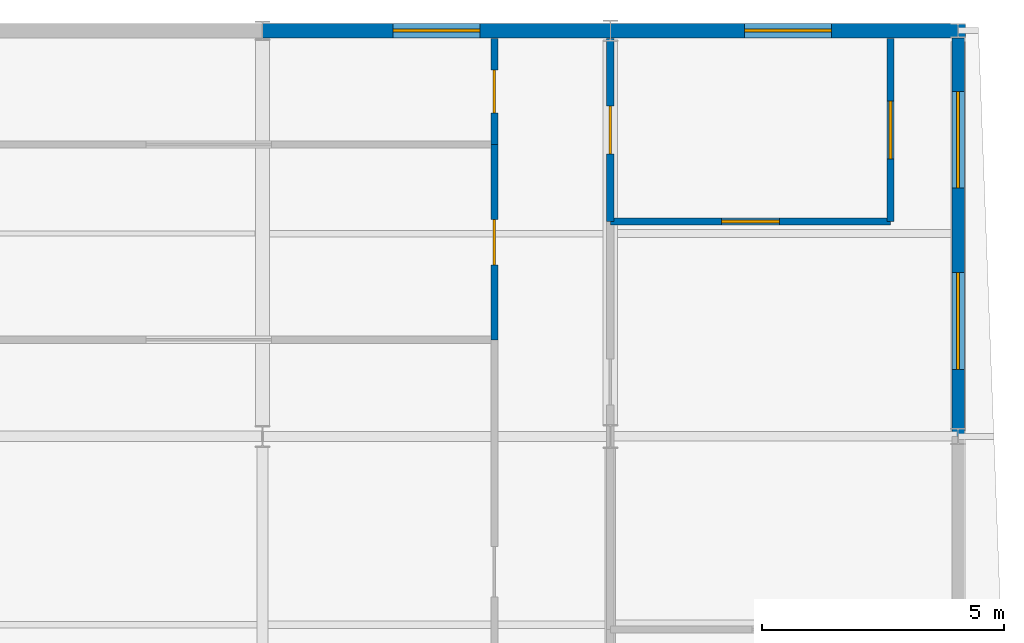
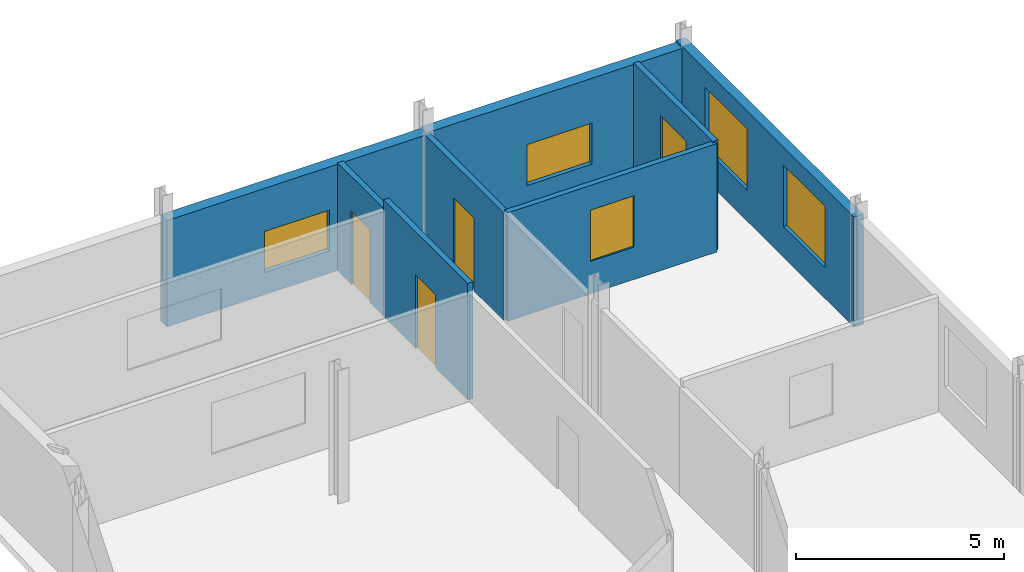
# One storey, part 13 of 16: 8 walls, 6 windows, 3 doors, 9 openings.
"""IFC4 building model written with IfcOpenShell, lengths in metres."""

from ifc_helpers import new_model, si_unit, direction, frame, frame_2d, origin, place, context, subcontext, project, spatial, rectangle, extrude, material, layer, layer_set, type_object, element, fill, save


model = new_model("IFC4")

# Units and contexts
model_context = context("Model", 3, precision=1e-05, world=origin(), true_north=direction((0.0, 1.0)))
body_context = subcontext(model_context, "Body", "Model", "MODEL_VIEW")
ifc_project = project(units=[si_unit("LENGTHUNIT", "METRE"), si_unit("AREAUNIT", "SQUARE_METRE"), si_unit("VOLUMEUNIT", "CUBIC_METRE"), si_unit("PLANEANGLEUNIT", "RADIAN"), si_unit("MASSUNIT", "GRAM", prefix="KILO")], contexts=[model_context])

# Site, building, storey
site_placement = place(None, origin())
site = spatial("IfcSite", under=ifc_project, at=site_placement, CompositionType="ELEMENT")
building_placement = place(site_placement, origin())
building = spatial("IfcBuilding", under=site, at=building_placement, Name="Vinh Khe Railworks Police Headquarters", CompositionType="ELEMENT")
storey_placement = place(building_placement, frame((0.0, 0.0, 28.800048828125)))
storey = spatial("IfcBuildingStorey", under=building, at=storey_placement, Name="L07", CompositionType="ELEMENT", Elevation=28.800048828125)

# Wall, openings, windows
ifc_material_1 = material(Name="Clay brickwork", Category="masonry")
ifc_layer_1 = layer(ifc_material_1, 0.260009765625)
ifc_layer_set_1 = layer_set([ifc_layer_1], Name="Clay brickwork")
wall_type_1 = type_object("IfcWallType", Name="EW-BRK-260", PredefinedType="SOLIDWALL", material=ifc_layer_set_1)
wall_1_placement = place(storey_placement, frame((22.199951171875, 96.0, 0.0), z_axis=(0.0, 0.0, 1.0), x_axis=(0.0, 1.0, 0.0)))
wall_1 = element("IfcWall", 1, at=wall_1_placement, inside=storey, type_object=wall_type_1, Name="Exterior Brick Wall EW-L07-V5E-13", PredefinedType="SOLIDWALL", context=body_context, shape_type="SweptSolid", body=[
    extrude(rectangle(XDim=8.530029296875, YDim=0.260009765625, at=frame_2d((4.26513671875, 0.0))), origin(), (0.0, 0.0, 1.0), 3.224853515625),
])
opening_1_placement = place(wall_1_placement, frame((1.388427734375, 0.0, 0.89990234375)))
opening_1 = element("IfcOpeningElement", 2, at=opening_1_placement, cuts=wall_1, Name="Opening WN-04", PredefinedType="OPENING", context=body_context, shape_type="SweptSolid", body=[
    extrude(rectangle(XDim=2.0, YDim=1.800048828125, at=frame_2d((1.0, 0.89990234375))), frame((0.0, 0.14501953125, 0.0), z_axis=(0.0, -1.0, 0.0), x_axis=(1.0, 0.0, 0.0)), (0.0, 0.0, 1.0), 0.289794921875),
])
opening_2_placement = place(wall_1_placement, frame((5.1416015625, 0.0, 0.89990234375)))
opening_2 = element("IfcOpeningElement", 3, at=opening_2_placement, cuts=wall_1, Name="Opening WN-04", PredefinedType="OPENING", context=body_context, shape_type="SweptSolid", body=[
    extrude(rectangle(XDim=2.0, YDim=1.800048828125, at=frame_2d((1.0, 0.89990234375))), frame((0.0, 0.14501953125, 0.0), z_axis=(0.0, -1.0, 0.0), x_axis=(1.0, 0.0, 0.0)), (0.0, 0.0, 1.0), 0.289794921875),
])
ifc_material_2 = material(Name="Double-glazed solar-control glass in dark steel frame", Category="steel")
window_type_1 = type_object("IfcWindowType", Name="WIN-WN-04", PartitioningType="DOUBLE_PANEL_VERTICAL", PredefinedType="WINDOW", material=ifc_material_2)
window_1_placement = place(opening_1_placement, origin())
window_1 = element("IfcWindow", 4, at=window_1_placement, inside=storey, type_object=window_type_1, Name="Casement Window WN-04", OverallHeight=1.800048828125, OverallWidth=2.0, PartitioningType="SINGLE_PANEL", PredefinedType="WINDOW", context=body_context, shape_type="SweptSolid", body=[
    extrude(rectangle(XDim=2.0, YDim=1.800048828125, at=frame_2d((1.0, 0.89990234375))), frame((0.0, 0.030029296875, 0.0), z_axis=(0.0, -1.0, 0.0), x_axis=(1.0, 0.0, 0.0)), (0.0, 0.0, 1.0), 0.06005859375),
])
fill(opening_1, window_1)
window_2_placement = place(opening_2_placement, origin())
window_2 = element("IfcWindow", 5, at=window_2_placement, inside=storey, type_object=window_type_1, Name="Casement Window WN-04", OverallHeight=1.800048828125, OverallWidth=2.0, PartitioningType="SINGLE_PANEL", PredefinedType="WINDOW", context=body_context, shape_type="SweptSolid", body=[
    extrude(rectangle(XDim=2.0, YDim=1.800048828125, at=frame_2d((1.0, 0.89990234375))), frame((0.0, 0.030029296875, 0.0), z_axis=(0.0, -1.0, 0.0), x_axis=(1.0, 0.0, 0.0)), (0.0, 0.0, 1.0), 0.06005859375),
])
fill(opening_2, window_2)

# Wall, opening, window
ifc_layer_2 = layer(ifc_material_1, 0.300048828125)
ifc_layer_set_2 = layer_set([ifc_layer_2], Name="Clay brickwork")
wall_type_2 = type_object("IfcWallType", Name="EW-BRK-300", PredefinedType="SOLIDWALL", material=ifc_layer_set_2)
wall_2_placement = place(storey_placement, frame((7.800048828125, 104.39990234375, 0.0), z_axis=(0.0, 0.0, 1.0), x_axis=(1.0, 0.0, 0.0)))
wall_2 = element("IfcWall", 6, at=wall_2_placement, inside=storey, type_object=wall_type_2, Name="Exterior Brick Wall EW-L07-V5N-02", PredefinedType="SOLIDWALL", context=body_context, shape_type="SweptSolid", body=[
    extrude(rectangle(XDim=7.199951171875, YDim=0.300048828125, at=frame_2d((3.60009765625, 0.0))), origin(), (0.0, 0.0, 1.0), 3.114990234375),
])
opening_3_placement = place(wall_2_placement, frame((2.699951171875, 0.0, 0.64990234375)))
opening_3 = element("IfcOpeningElement", 7, at=opening_3_placement, cuts=wall_2, Name="Opening WN-08", PredefinedType="OPENING", context=body_context, shape_type="SweptSolid", body=[
    extrude(rectangle(XDim=1.800048828125, YDim=1.199951171875, at=frame_2d((0.89990234375, 0.60009765625))), frame((0.0, 0.1650390625, 0.0), z_axis=(0.0, -1.0, 0.0), x_axis=(1.0, 0.0, 0.0)), (0.0, 0.0, 1.0), 0.329833984375),
])
window_type_2 = type_object("IfcWindowType", Name="WIN-WN-08", PartitioningType="SINGLE_PANEL", PredefinedType="WINDOW", material=ifc_material_2)
window_3_placement = place(opening_3_placement, origin())
window_3 = element("IfcWindow", 8, at=window_3_placement, inside=storey, type_object=window_type_2, Name="Casement Window WN-08", OverallHeight=1.199951171875, OverallWidth=1.800048828125, PartitioningType="SINGLE_PANEL", PredefinedType="WINDOW", context=body_context, shape_type="SweptSolid", body=[
    extrude(rectangle(XDim=1.800048828125, YDim=1.199951171875, at=frame_2d((0.89990234375, 0.60009765625))), frame((0.0, 0.030029296875, 0.0), z_axis=(0.0, -1.0, 0.0), x_axis=(1.0, 0.0, 0.0)), (0.0, 0.0, 1.0), 0.06005859375),
])
fill(opening_3, window_3)

wall_3_placement = place(storey_placement, frame((15.0, 104.39990234375, 0.0), z_axis=(0.0, 0.0, 1.0), x_axis=(1.0, 0.0, 0.0)))
wall_3 = element("IfcWall", 9, at=wall_3_placement, inside=storey, type_object=wall_type_2, Name="Exterior Brick Wall EW-L07-V5N-03", PredefinedType="SOLIDWALL", context=body_context, shape_type="SweptSolid", body=[
    extrude(rectangle(XDim=7.35009765625, YDim=0.300048828125, at=frame_2d((3.675048828125, 0.0))), origin(), (0.0, 0.0, 1.0), 3.1650390625),
])
opening_4_placement = place(wall_3_placement, frame((2.77490234375, 0.0, 0.64990234375)))
opening_4 = element("IfcOpeningElement", 10, at=opening_4_placement, cuts=wall_3, Name="Opening WN-08", PredefinedType="OPENING", context=body_context, shape_type="SweptSolid", body=[
    extrude(rectangle(XDim=1.800048828125, YDim=1.199951171875, at=frame_2d((0.89990234375, 0.60009765625))), frame((0.0, 0.1650390625, 0.0), z_axis=(0.0, -1.0, 0.0), x_axis=(1.0, 0.0, 0.0)), (0.0, 0.0, 1.0), 0.329833984375),
])
window_4_placement = place(opening_4_placement, origin())
window_4 = element("IfcWindow", 11, at=window_4_placement, inside=storey, type_object=window_type_2, Name="Casement Window WN-08", OverallHeight=1.199951171875, OverallWidth=1.800048828125, PartitioningType="SINGLE_PANEL", PredefinedType="WINDOW", context=body_context, shape_type="SweptSolid", body=[
    extrude(rectangle(XDim=1.800048828125, YDim=1.199951171875, at=frame_2d((0.89990234375, 0.60009765625))), frame((0.0, 0.030029296875, 0.0), z_axis=(0.0, -1.0, 0.0), x_axis=(1.0, 0.0, 0.0)), (0.0, 0.0, 1.0), 0.06005859375),
])
fill(opening_4, window_4)

ifc_material_3 = material(Name="Gypsum plasterboard on steel stud", Category="steel")
ifc_layer_3 = layer(ifc_material_3, 0.1201171875)
ifc_layer_set_3 = layer_set([ifc_layer_3], Name="Gypsum plasterboard on steel stud")
wall_type_3 = type_object("IfcWallType", Name="IW-PART-120", PredefinedType="PARTITIONING", material=ifc_layer_set_3)
wall_4_placement = place(storey_placement, frame((15.0, 100.447021484375, 0.0), z_axis=(0.0, 0.0, 1.0), x_axis=(1.0, 0.0, 0.0)))
wall_4 = element("IfcWall", 12, at=wall_4_placement, inside=storey, type_object=wall_type_3, Name="Interior Partition W-L07-V5-AWCL7S-DIV", PredefinedType="PARTITIONING", context=body_context, shape_type="SweptSolid", body=[
    extrude(rectangle(XDim=5.800048828125, YDim=0.14990234375, at=frame_2d((2.89990234375, 0.0))), origin(), (0.0, 0.0, 1.0), 3.175048828125),
])
opening_5_placement = place(wall_4_placement, frame((2.300048828125, 0.0, 0.949951171875)))
opening_5 = element("IfcOpeningElement", 13, at=opening_5_placement, cuts=wall_4, Name="Opening WN-10", PredefinedType="OPENING", context=body_context, shape_type="SweptSolid", body=[
    extrude(rectangle(XDim=1.199951171875, YDim=1.5, at=frame_2d((0.60009765625, 0.75))), frame((0.0, 0.08984375, 0.0), z_axis=(0.0, -1.0, 0.0), x_axis=(1.0, 0.0, 0.0)), (0.0, 0.0, 1.0), 0.1796875),
])
window_type_3 = type_object("IfcWindowType", Name="WIN-WN-10", PartitioningType="SINGLE_PANEL", PredefinedType="WINDOW", material=ifc_material_2)
window_5_placement = place(opening_5_placement, origin())
window_5 = element("IfcWindow", 14, at=window_5_placement, inside=storey, type_object=window_type_3, Name="Interior Acoustic Vision Window WN-10", OverallHeight=1.5, OverallWidth=1.199951171875, PartitioningType="SINGLE_PANEL", PredefinedType="WINDOW", context=body_context, shape_type="SweptSolid", body=[
    extrude(rectangle(XDim=1.199951171875, YDim=1.5, at=frame_2d((0.60009765625, 0.75))), frame((0.0, 0.030029296875, 0.0), z_axis=(0.0, -1.0, 0.0), x_axis=(1.0, 0.0, 0.0)), (0.0, 0.0, 1.0), 0.06005859375),
])
fill(opening_5, window_5)

wall_5_placement = place(storey_placement, frame((20.800048828125, 100.447021484375, 0.0), z_axis=(0.0, 0.0, 1.0), x_axis=(0.0, 1.0, 0.0)))
wall_5 = element("IfcWall", 15, at=wall_5_placement, inside=storey, type_object=wall_type_3, Name="Interior Partition W-L07-V5-AWCL7-REAR", PredefinedType="PARTITIONING", context=body_context, shape_type="SweptSolid", body=[
    extrude(rectangle(XDim=3.79296875, YDim=0.14990234375, at=frame_2d((1.896484375, 0.0))), origin(), (0.0, 0.0, 1.0), 3.21484375),
])
opening_6_placement = place(wall_5_placement, frame((1.29638671875, 0.0, 0.949951171875)))
opening_6 = element("IfcOpeningElement", 16, at=opening_6_placement, cuts=wall_5, Name="Opening WN-10", PredefinedType="OPENING", context=body_context, shape_type="SweptSolid", body=[
    extrude(rectangle(XDim=1.199951171875, YDim=1.5, at=frame_2d((0.60009765625, 0.75))), frame((0.0, 0.08984375, 0.0), z_axis=(0.0, -1.0, 0.0), x_axis=(1.0, 0.0, 0.0)), (0.0, 0.0, 1.0), 0.1796875),
])
window_6_placement = place(opening_6_placement, origin())
window_6 = element("IfcWindow", 17, at=window_6_placement, inside=storey, type_object=window_type_3, Name="Interior Acoustic Vision Window WN-10", OverallHeight=1.5, OverallWidth=1.199951171875, PartitioningType="SINGLE_PANEL", PredefinedType="WINDOW", context=body_context, shape_type="SweptSolid", body=[
    extrude(rectangle(XDim=1.199951171875, YDim=1.5, at=frame_2d((0.60009765625, 0.75))), frame((0.0, 0.030029296875, 0.0), z_axis=(0.0, -1.0, 0.0), x_axis=(1.0, 0.0, 0.0)), (0.0, 0.0, 1.0), 0.06005859375),
])
fill(opening_6, window_6)

# Wall, opening, door
ifc_material_4 = material(Name="Gypsum plasterboard on acoustic steel stud", Category="steel")
ifc_layer_4 = layer(ifc_material_4, 0.14990234375)
ifc_layer_set_4 = layer_set([ifc_layer_4], Name="Gypsum plasterboard on acoustic steel stud")
wall_type_4 = type_object("IfcWallType", Name="IW-PART-150", PredefinedType="PARTITIONING", material=ifc_layer_set_4)
wall_6_placement = place(storey_placement, frame((12.60009765625, 98.0, 0.0), z_axis=(0.0, 0.0, 1.0), x_axis=(0.0, 1.0, 0.0)))
wall_6 = element("IfcWall", 18, at=wall_6_placement, inside=storey, type_object=wall_type_4, Name="Interior Partition W-L07-V5-WCL7S-CW", PredefinedType="PARTITIONING", context=body_context, shape_type="SweptSolid", body=[
    extrude(rectangle(XDim=4.0400390625, YDim=0.14990234375, at=frame_2d((2.02001953125, 0.0))), origin(), (0.0, 0.0, 1.0), 3.4150390625),
])
opening_7_placement = place(wall_6_placement, frame((1.544921875, 0.0, 0.0)))
opening_7 = element("IfcOpeningElement", 19, at=opening_7_placement, cuts=wall_6, Name="Opening D-01", PredefinedType="OPENING", context=body_context, shape_type="SweptSolid", body=[
    extrude(rectangle(XDim=0.949951171875, YDim=2.14990234375, at=frame_2d((0.47509765625, 1.074951171875))), frame((0.0, 0.08984375, 0.0), z_axis=(0.0, -1.0, 0.0), x_axis=(1.0, 0.0, 0.0)), (0.0, 0.0, 1.0), 0.1796875),
])
ifc_material_5 = material(Name="Seasoned hardwood timber", Category="wood")
door_type_1 = type_object("IfcDoorType", Name="ID-950x2150", OperationType="NOTDEFINED", PredefinedType="DOOR", material=ifc_material_5)
door_1_placement = place(opening_7_placement, origin())
door_1 = element("IfcDoor", 20, at=door_1_placement, inside=storey, type_object=door_type_1, Name="Floor Supplies Store Door", OperationType="SINGLE_SWING_LEFT", OverallHeight=2.14990234375, OverallWidth=0.949951171875, PredefinedType="DOOR", context=body_context, shape_type="SweptSolid", body=[
    extrude(rectangle(XDim=0.949951171875, YDim=2.14990234375, at=frame_2d((0.47509765625, 1.074951171875))), frame((0.0, 0.02490234375, 0.0), z_axis=(0.0, -1.0, 0.0), x_axis=(1.0, 0.0, 0.0)), (0.0, 0.0, 1.0), 0.050048828125),
])
fill(opening_7, door_1)

wall_7_placement = place(storey_placement, frame((12.60009765625, 102.0400390625, 0.0), z_axis=(0.0, 0.0, 1.0), x_axis=(0.0, 1.0, 0.0)))
wall_7 = element("IfcWall", 21, at=wall_7_placement, inside=storey, type_object=wall_type_4, Name="Interior Partition W-L07-V5-WCL7-CW", PredefinedType="PARTITIONING", context=body_context, shape_type="SweptSolid", body=[
    extrude(rectangle(XDim=2.199951171875, YDim=0.14990234375, at=frame_2d((1.10009765625, 0.0))), origin(), (0.0, 0.0, 1.0), 3.1650390625),
])
opening_8_placement = place(wall_7_placement, frame((0.64990234375, 0.0, 0.0)))
opening_8 = element("IfcOpeningElement", 22, at=opening_8_placement, cuts=wall_7, Name="Opening D-04", PredefinedType="OPENING", context=body_context, shape_type="SweptSolid", body=[
    extrude(rectangle(XDim=0.89990234375, YDim=2.14990234375, at=frame_2d((0.449951171875, 1.074951171875))), frame((0.0, 0.08984375, 0.0), z_axis=(0.0, -1.0, 0.0), x_axis=(1.0, 0.0, 0.0)), (0.0, 0.0, 1.0), 0.1796875),
])
door_type_2 = type_object("IfcDoorType", Name="ID-900x2150", OperationType="NOTDEFINED", PredefinedType="DOOR", material=ifc_material_5)
door_2_placement = place(opening_8_placement, origin())
door_2 = element("IfcDoor", 23, at=door_2_placement, inside=storey, type_object=door_type_2, Name="Staff WC L07 Door", OperationType="SINGLE_SWING_RIGHT", OverallHeight=2.14990234375, OverallWidth=0.89990234375, PredefinedType="DOOR", context=body_context, shape_type="SweptSolid", body=[
    extrude(rectangle(XDim=0.89990234375, YDim=2.14990234375, at=frame_2d((0.449951171875, 1.074951171875))), frame((0.0, 0.02490234375, 0.0), z_axis=(0.0, -1.0, 0.0), x_axis=(1.0, 0.0, 0.0)), (0.0, 0.0, 1.0), 0.050048828125),
])
fill(opening_8, door_2)

wall_8_placement = place(storey_placement, frame((15.0, 100.447021484375, 0.0), z_axis=(0.0, 0.0, 1.0), x_axis=(0.0, 1.0, 0.0)))
wall_8 = element("IfcWall", 24, at=wall_8_placement, inside=storey, type_object=wall_type_4, Name="Interior Partition W-L07-V5-AWCL7-CE", PredefinedType="PARTITIONING", context=body_context, shape_type="SweptSolid", body=[
    extrude(rectangle(XDim=3.79296875, YDim=0.14990234375, at=frame_2d((1.896484375, 0.0))), origin(), (0.0, 0.0, 1.0), 3.1650390625),
])
opening_9_placement = place(wall_8_placement, frame((1.39697265625, 0.0, 0.0)))
opening_9 = element("IfcOpeningElement", 25, at=opening_9_placement, cuts=wall_8, Name="Opening D-05", PredefinedType="OPENING", context=body_context, shape_type="SweptSolid", body=[
    extrude(rectangle(XDim=1.0, YDim=2.14990234375, at=frame_2d((0.5, 1.074951171875))), frame((0.0, 0.08984375, 0.0), z_axis=(0.0, -1.0, 0.0), x_axis=(1.0, 0.0, 0.0)), (0.0, 0.0, 1.0), 0.1796875),
])
door_type_3 = type_object("IfcDoorType", Name="ID-1000x2150", OperationType="NOTDEFINED", PredefinedType="DOOR", material=ifc_material_5)
door_3_placement = place(opening_9_placement, origin())
door_3 = element("IfcDoor", 26, at=door_3_placement, inside=storey, type_object=door_type_3, Name="Accessible WC L07 Door", OperationType="SINGLE_SWING_LEFT", OverallHeight=2.14990234375, OverallWidth=1.0, PredefinedType="DOOR", context=body_context, shape_type="SweptSolid", body=[
    extrude(rectangle(XDim=1.0, YDim=2.14990234375, at=frame_2d((0.5, 1.074951171875))), frame((0.0, 0.02490234375, 0.0), z_axis=(0.0, -1.0, 0.0), x_axis=(1.0, 0.0, 0.0)), (0.0, 0.0, 1.0), 0.050048828125),
])
fill(opening_9, door_3)

save(model, "model.ifc")
